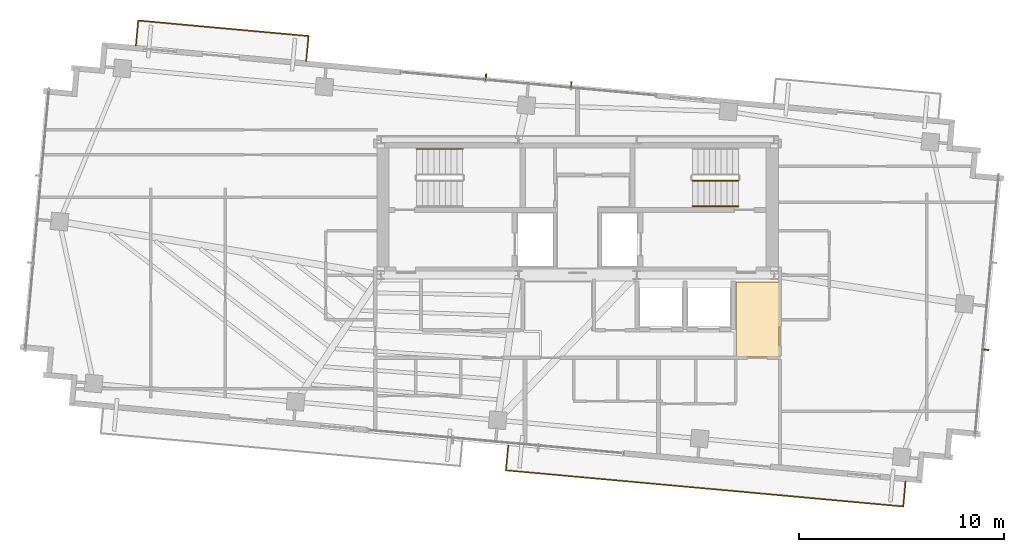
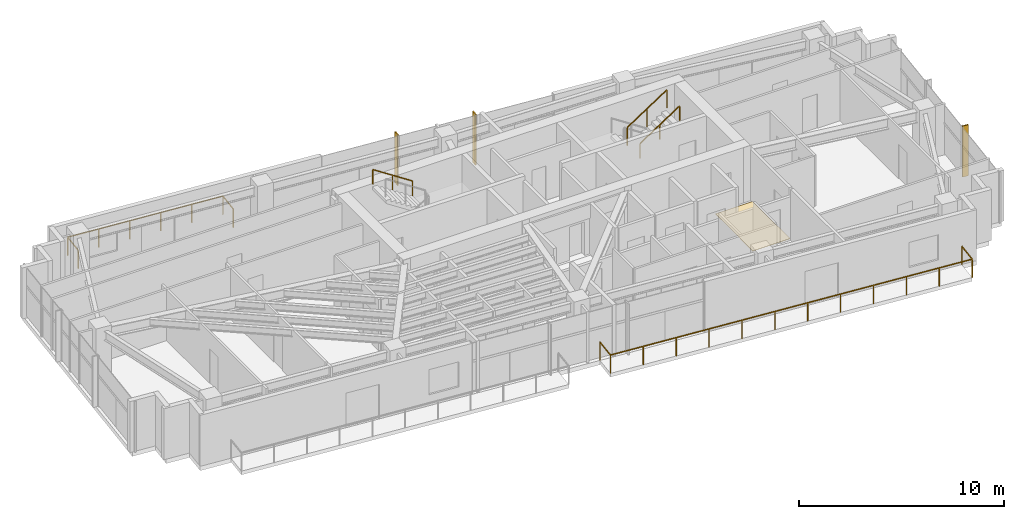
# One storey, part 21 of 22: 5 railings, 3 shading devices, 1 covering.
"""IFC4 building model written with IfcOpenShell, lengths in metres."""

from ifc_helpers import new_model, si_unit, direction, frame, origin, origin_2d, place, context, subcontext, project, spatial, polyline, rectangle, outline, extrude, source, transform, mapped, material, layer, layer_set, type_object, type_shapes, element, save


model = new_model("IFC4")

# Units and contexts
model_context = context("Model", 3, precision=1e-05, world=origin(), true_north=direction((0.0, 1.0)))
body_context = subcontext(model_context, "Body", "Model", "MODEL_VIEW")
ifc_project = project(units=[si_unit("LENGTHUNIT", "METRE"), si_unit("AREAUNIT", "SQUARE_METRE"), si_unit("VOLUMEUNIT", "CUBIC_METRE"), si_unit("PLANEANGLEUNIT", "RADIAN"), si_unit("MASSUNIT", "GRAM", prefix="KILO")], contexts=[model_context])

# Site, building, storey
site_placement = place(None, origin())
site = spatial("IfcSite", under=ifc_project, at=site_placement, CompositionType="ELEMENT")
building_placement = place(site_placement, origin())
building = spatial("IfcBuilding", under=site, at=building_placement, Name="Astriad Promenade Condominiums", CompositionType="ELEMENT")
storey_placement = place(building_placement, frame((0.0, 0.0, 239.699951171875)))
storey = spatial("IfcBuildingStorey", under=building, at=storey_placement, Name="L69", CompositionType="ELEMENT", Elevation=239.699951171875)

# Covering
ifc_material_1 = material(Name="Polished Lakefront Terrazzo Flooring")
ifc_layer = layer(ifc_material_1, 0.02001953125)
ifc_layer_set = layer_set([ifc_layer], Name="Polished Lakefront Terrazzo Flooring")
covering_type = type_object("IfcCoveringType", Name="COV-FLOR-TERRAZZO-20", PredefinedType="FLOORING", material=ifc_layer_set)
covering_placement = place(storey_placement, origin())
element("IfcCovering", 1, at=covering_placement, inside=storey, type_object=covering_type, Name="FLR-L69-COR-1", PredefinedType="FLOORING", context=body_context, shape_type="SweptSolid", body=[
    extrude(outline(polyline([(43.72998046875, 13.39990234375), (43.72998046875, 14.62353515625), (43.73095703125, 14.62451171875), (43.7333984375, 14.627685546875), (43.7353515625, 14.631103515625), (43.737060546875, 14.634765625), (43.73828125, 14.638427734375), (43.7392578125, 14.64208984375), (43.73974609375, 14.64599609375), (43.739990234375, 14.64990234375), (43.739990234375, 17.06005859375), (45.840087890625, 17.06005859375), (45.840087890625, 13.39990234375), (43.72998046875, 13.39990234375)])), origin(), (0.0, 0.0, 1.0), 0.02001953125),
])

# Shading devices
ifc_material_2 = material(Name="Anodised aluminium 6063-T6 Black Fin", Category="aluminium")
shading_device_type = type_object("IfcShadingDeviceType", Name="FIN-BLACK-260", PredefinedType="USERDEFINED", material=ifc_material_2)
shared_shape_1 = source(origin(), body_context, "Body", "SweptSolid", [
    extrude(rectangle(XDim=0.06494140625, YDim=0.320068359375, at=origin_2d()), origin(), (0.0, 0.0, 1.0), 3.0400390625),
])
type_shapes(shading_device_type, [shared_shape_1])
for number, where, z_axis, x_axis, name in (
    (2, (31.526123046875, 27.062744140625, 0.0), (0.0, 0.0, 1.0), (0.995884398616, -0.090632580198, 0.0), "CW-L69-N-FIN-01"),
    (3, (35.68896484375, 26.683837890625, 0.0), (0.0, 0.0, 1.0), (0.995884398616, -0.090632580198, 0.0), "CW-L69-N-FIN-02"),
    (4, (55.920166015625, 13.753662109375, 0.0), (0.0, 0.0, 1.0), (-0.090632580198, -0.995884398616, 0.0), "CW-L69-E-FIN-02"),
):
    element("IfcShadingDevice", number, at=place(storey_placement, frame(where, z_axis=z_axis, x_axis=x_axis)), inside=storey, type_object=shading_device_type, Name=name, ObjectType="FIN", PredefinedType="USERDEFINED", context=body_context, shape_type="MappedRepresentation", body=[
        mapped(shared_shape_1, transform((0.0, 0.0, 0.0), scale=1.0)),
    ])

# Railings
ifc_material_3 = material(Name="Laminated Glass and Stainless Steel Balustrade", Category="steel")
railing_type_1 = type_object("IfcRailingType", Name="GRD-BALC-1120", PredefinedType="BALUSTRADE", material=ifc_material_3)
shared_shape_2 = source(origin(), body_context, "Body", "SweptSolid", [
    extrude(rectangle(XDim=0.048095703125, YDim=0.048095703125, at=origin_2d()), frame((0.0, 0.0, 1.09619140625), z_axis=(-0.09066206129, -0.995881715186, 0.0), x_axis=(0.995881715186, -0.09066206129, 0.0)), (0.0, 0.0, 1.0), 1.219970703125),
    extrude(rectangle(XDim=0.048095703125, YDim=0.048095703125, at=origin_2d()), frame((-0.110595703125, -1.21484375, 1.09619140625), z_axis=(0.995884571036, -0.090630685605, 0.0), x_axis=(0.090630685605, 0.995884571036, 0.0)), (0.0, 0.0, 1.0), 19.47607421875),
    extrude(rectangle(XDim=0.048095703125, YDim=0.048095703125, at=origin_2d()), frame((19.285400390625, -2.97998046875, 1.09619140625), z_axis=(0.09066206129, 0.995881715186, 0.0), x_axis=(-0.995881715186, 0.09066206129, 0.0)), (0.0, 0.0, 1.0), 1.219970703125),
    extrude(rectangle(XDim=0.0419921875, YDim=0.0419921875, at=origin_2d()), origin(), (0.0, 0.0, 1.0), 1.072021484375),
    extrude(rectangle(XDim=0.0419921875, YDim=0.0419921875, at=origin_2d()), frame((-0.110595703125, -1.21484375, 0.0)), (0.0, 0.0, 1.0), 1.072021484375),
    extrude(rectangle(XDim=0.0419921875, YDim=0.0419921875, at=origin_2d()), frame((1.652587890625, -1.375244140625, 0.0)), (0.0, 0.0, 1.0), 1.072021484375),
    extrude(rectangle(XDim=0.0419921875, YDim=0.0419921875, at=origin_2d()), frame((3.416015625, -1.535888671875, 0.0)), (0.0, 0.0, 1.0), 1.072021484375),
    extrude(rectangle(XDim=0.0419921875, YDim=0.0419921875, at=origin_2d()), frame((5.17919921875, -1.6962890625, 0.0)), (0.0, 0.0, 1.0), 1.072021484375),
    extrude(rectangle(XDim=0.0419921875, YDim=0.0419921875, at=origin_2d()), frame((6.9423828125, -1.856689453125, 0.0)), (0.0, 0.0, 1.0), 1.072021484375),
    extrude(rectangle(XDim=0.0419921875, YDim=0.0419921875, at=origin_2d()), frame((8.705810546875, -2.01708984375, 0.0)), (0.0, 0.0, 1.0), 1.072021484375),
    extrude(rectangle(XDim=0.0419921875, YDim=0.0419921875, at=origin_2d()), frame((10.468994140625, -2.177734375, 0.0)), (0.0, 0.0, 1.0), 1.072021484375),
    extrude(rectangle(XDim=0.0419921875, YDim=0.0419921875, at=origin_2d()), frame((12.232421875, -2.338134765625, 0.0)), (0.0, 0.0, 1.0), 1.072021484375),
    extrude(rectangle(XDim=0.0419921875, YDim=0.0419921875, at=origin_2d()), frame((13.99560546875, -2.49853515625, 0.0)), (0.0, 0.0, 1.0), 1.072021484375),
    extrude(rectangle(XDim=0.0419921875, YDim=0.0419921875, at=origin_2d()), frame((15.7587890625, -2.658935546875, 0.0)), (0.0, 0.0, 1.0), 1.072021484375),
    extrude(rectangle(XDim=0.0419921875, YDim=0.0419921875, at=origin_2d()), frame((17.522216796875, -2.819580078125, 0.0)), (0.0, 0.0, 1.0), 1.072021484375),
    extrude(rectangle(XDim=0.0419921875, YDim=0.0419921875, at=origin_2d()), frame((19.285400390625, -2.97998046875, 0.0)), (0.0, 0.0, 1.0), 1.072021484375),
    extrude(rectangle(XDim=0.0419921875, YDim=0.0419921875, at=origin_2d()), frame((19.39599609375, -1.76513671875, 0.0)), (0.0, 0.0, 1.0), 1.072021484375),
])
railing_1_placement = place(storey_placement, frame((32.61376953125, 9.080078125, 0.0)))
element("IfcRailing", 5, at=railing_1_placement, inside=storey, type_object=railing_type_1, Name="GRD-BALC-L69-SE", PredefinedType="BALUSTRADE", context=body_context, shape_type="MappedRepresentation", body=[
    mapped(shared_shape_2, transform((0.0, 0.0, 0.0), scale=1.0)),
])
shared_shape_3 = source(origin(), body_context, "Body", "SweptSolid", [
    extrude(rectangle(XDim=0.048095703125, YDim=0.048095703125, at=origin_2d()), frame((0.0, 0.0, 1.09619140625), z_axis=(0.09066206129, 0.995881715186, 0.0), x_axis=(-0.995881715186, 0.09066206129, 0.0)), (0.0, 0.0, 1.0), 1.219970703125),
    extrude(rectangle(XDim=0.048095703125, YDim=0.048095703125, at=origin_2d()), frame((0.110595703125, 1.21484375, 1.09619140625), z_axis=(-0.995881459031, 0.090664875001, 0.0), x_axis=(-0.090664875001, -0.995881459031, 0.0)), (0.0, 0.0, 1.0), 8.35302734375),
    extrude(rectangle(XDim=0.048095703125, YDim=0.048095703125, at=origin_2d()), frame((-8.2080078125, 1.97216796875, 1.09619140625), z_axis=(-0.090643994769, -0.995883359743, 0.0), x_axis=(0.995883359743, -0.090643994769, 0.0)), (0.0, 0.0, 1.0), 1.22021484375),
    extrude(rectangle(XDim=0.0419921875, YDim=0.0419921875, at=origin_2d()), origin(), (0.0, 0.0, 1.0), 1.072021484375),
    extrude(rectangle(XDim=0.0419921875, YDim=0.0419921875, at=origin_2d()), frame((0.110595703125, 1.21484375, 0.0)), (0.0, 0.0, 1.0), 1.072021484375),
    extrude(rectangle(XDim=0.0419921875, YDim=0.0419921875, at=origin_2d()), frame((-1.55322265625, 1.3662109375, 0.0)), (0.0, 0.0, 1.0), 1.072021484375),
    extrude(rectangle(XDim=0.0419921875, YDim=0.0419921875, at=origin_2d()), frame((-3.216796875, 1.517822265625, 0.0)), (0.0, 0.0, 1.0), 1.072021484375),
    extrude(rectangle(XDim=0.0419921875, YDim=0.0419921875, at=origin_2d()), frame((-4.880615234375, 1.669189453125, 0.0)), (0.0, 0.0, 1.0), 1.072021484375),
    extrude(rectangle(XDim=0.0419921875, YDim=0.0419921875, at=origin_2d()), frame((-6.544189453125, 1.82080078125, 0.0)), (0.0, 0.0, 1.0), 1.072021484375),
    extrude(rectangle(XDim=0.0419921875, YDim=0.0419921875, at=origin_2d()), frame((-8.2080078125, 1.97216796875, 0.0)), (0.0, 0.0, 1.0), 1.072021484375),
    extrude(rectangle(XDim=0.0419921875, YDim=0.0419921875, at=origin_2d()), frame((-8.318603515625, 0.757080078125, 0.0)), (0.0, 0.0, 1.0), 1.072021484375),
])
type_shapes(railing_type_1, [shared_shape_2, shared_shape_3])
railing_2_placement = place(storey_placement, frame((22.761474609375, 27.850341796875, 0.0)))
element("IfcRailing", 6, at=railing_2_placement, inside=storey, type_object=railing_type_1, Name="GRD-BALC-L69-NW", PredefinedType="BALUSTRADE", context=body_context, shape_type="MappedRepresentation", body=[
    mapped(shared_shape_3, transform((0.0, 0.0, 0.0), scale=1.0)),
])
ifc_material_4 = material(Name="Painted Galvanised Steel Guardrail", Category="steel")
railing_type_2 = type_object("IfcRailingType", Name="GRD-STAIR-1100", PredefinedType="GUARDRAIL", material=ifc_material_4)
shared_shape_4 = source(origin(), body_context, "Body", "SweptSolid", [
    extrude(rectangle(XDim=0.048095703125, YDim=0.048095703125, at=origin_2d()), frame((0.0, 0.0, 1.076171875), z_axis=(0.836636935527, 0.0, 0.547757827979), x_axis=(0.0, 1.0, 0.0)), (0.0, 0.0, 1.0), 2.677490234375),
    extrude(rectangle(XDim=0.0419921875, YDim=0.0419921875, at=origin_2d()), origin(), (0.0, 0.0, 1.0), 1.052001953125),
    extrude(rectangle(XDim=0.0419921875, YDim=0.0419921875, at=origin_2d()), frame((1.1201171875, 0.0, 0.7333984375)), (0.0, 0.0, 1.0), 1.052001953125),
    extrude(rectangle(XDim=0.0419921875, YDim=0.0419921875, at=origin_2d()), frame((2.239990234375, 0.0, 1.466552734375)), (0.0, 0.0, 1.0), 1.052001953125),
])
type_shapes(railing_type_2, [shared_shape_4])
railing_3_placement = place(storey_placement, frame((41.610107421875, 22.0, 1.83349609375)))
element("IfcRailing", 7, at=railing_3_placement, inside=storey, type_object=railing_type_2, Name="L69 ST-2 stair guard 3", PredefinedType="GUARDRAIL", context=body_context, shape_type="MappedRepresentation", body=[
    mapped(shared_shape_4, transform((0.0, 0.0, 0.0), scale=1.0)),
])
ifc_material_5 = material(Name="Brushed Stainless Steel Handrail", Category="steel")
railing_type_3 = type_object("IfcRailingType", Name="HRL-STAIR-920", PredefinedType="HANDRAIL", material=ifc_material_5)
shared_shape_5 = source(origin(), body_context, "Body", "SweptSolid", [
    extrude(rectangle(XDim=0.048095703125, YDim=0.048095703125, at=origin_2d()), frame((0.0, 0.0, 0.8759765625), z_axis=(0.836636935527, 0.0, 0.547757827979), x_axis=(0.0, 1.0, 0.0)), (0.0, 0.0, 1.0), 2.677490234375),
    extrude(rectangle(XDim=0.0419921875, YDim=0.0419921875, at=origin_2d()), origin(), (0.0, 0.0, 1.0), 0.851806640625),
    extrude(rectangle(XDim=0.0419921875, YDim=0.0419921875, at=origin_2d()), frame((1.1201171875, 0.0, 0.7333984375)), (0.0, 0.0, 1.0), 0.851806640625),
    extrude(rectangle(XDim=0.0419921875, YDim=0.0419921875, at=origin_2d()), frame((2.239990234375, 0.0, 1.466552734375)), (0.0, 0.0, 1.0), 0.851806640625),
])
railing_4_placement = place(storey_placement, frame((41.610107421875, 20.75, 1.83349609375)))
element("IfcRailing", 8, at=railing_4_placement, inside=storey, type_object=railing_type_3, Name="L69 ST-2 stair handrail 2", PredefinedType="HANDRAIL", context=body_context, shape_type="MappedRepresentation", body=[
    mapped(shared_shape_5, transform((0.0, 0.0, 0.0), scale=1.0)),
])
shared_shape_6 = source(origin(), body_context, "Body", "SweptSolid", [
    extrude(rectangle(XDim=0.048095703125, YDim=0.048095703125, at=origin_2d()), frame((0.0, 0.0, 0.8759765625), z_axis=(-0.836636935527, 0.0, 0.547757827979), x_axis=(0.0, -1.0, 0.0)), (0.0, 0.0, 1.0), 2.677490234375),
    extrude(rectangle(XDim=0.0419921875, YDim=0.0419921875, at=origin_2d()), origin(), (0.0, 0.0, 1.0), 0.851806640625),
    extrude(rectangle(XDim=0.0419921875, YDim=0.0419921875, at=origin_2d()), frame((-1.1201171875, 0.0, 0.7333984375)), (0.0, 0.0, 1.0), 0.851806640625),
    extrude(rectangle(XDim=0.0419921875, YDim=0.0419921875, at=origin_2d()), frame((-2.239990234375, 0.0, 1.466552734375)), (0.0, 0.0, 1.0), 0.851806640625),
])
type_shapes(railing_type_3, [shared_shape_5, shared_shape_6])
railing_5_placement = place(storey_placement, frame((30.389892578125, 23.550048828125, 1.83349609375)))
element("IfcRailing", 9, at=railing_5_placement, inside=storey, type_object=railing_type_3, Name="L69 ST-1 stair handrail 2", PredefinedType="HANDRAIL", context=body_context, shape_type="MappedRepresentation", body=[
    mapped(shared_shape_6, transform((0.0, 0.0, 0.0), scale=1.0)),
])

save(model, "model.ifc")
